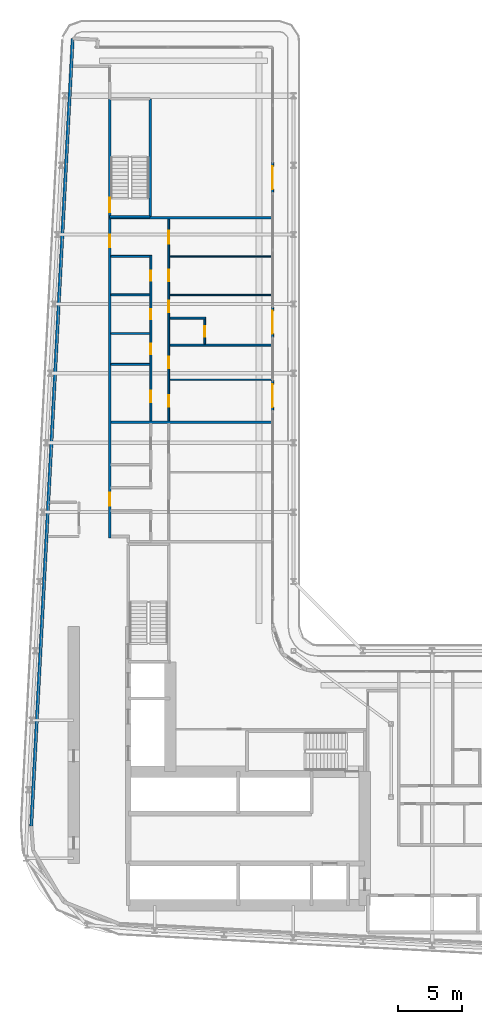
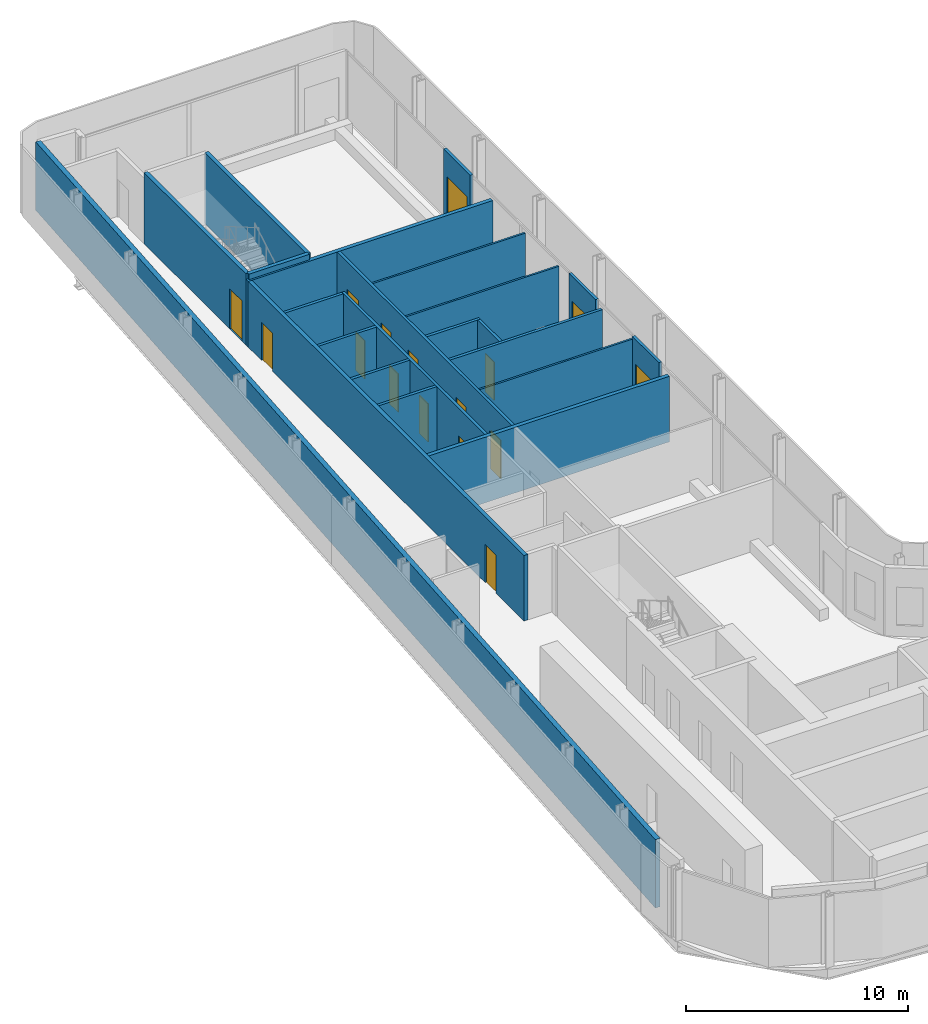
# One storey, part 16 of 25: 22 walls, 16 doors, 16 openings.
"""IFC4 building model written with IfcOpenShell, lengths in metres."""

from ifc_helpers import new_model, si_unit, direction, frame, frame_2d, origin, place, context, subcontext, project, spatial, rectangle, extrude, source, transform, mapped, material, layer, layer_set, type_object, element, fill, save


model = new_model("IFC4")

# Units and contexts
model_context = context("Model", 3, precision=1e-05, world=origin(), true_north=direction((0.0, 1.0)))
body_context = subcontext(model_context, "Body", "Model", "MODEL_VIEW")
ifc_project = project(units=[si_unit("LENGTHUNIT", "METRE"), si_unit("AREAUNIT", "SQUARE_METRE"), si_unit("VOLUMEUNIT", "CUBIC_METRE"), si_unit("PLANEANGLEUNIT", "RADIAN"), si_unit("MASSUNIT", "GRAM", prefix="KILO")], contexts=[model_context])

# Site, building, storey
site_placement = place(None, origin())
site = spatial("IfcSite", under=ifc_project, at=site_placement, CompositionType="ELEMENT")
building_placement = place(site_placement, origin())
building = spatial("IfcBuilding", under=site, at=building_placement, Name="Kheshtan School and Residences Tower", CompositionType="ELEMENT")
storey_placement = place(building_placement, frame((0.0, 0.0, 113.60009765625)))
storey = spatial("IfcBuildingStorey", under=building, at=storey_placement, Name="L26", CompositionType="ELEMENT", Elevation=113.60009765625)

# Wall, openings, doors
ifc_material_1 = material(Name="Gypsum board on steel studs with fire boards", Category="steel")
ifc_layer_1 = layer(ifc_material_1, 0.199951171875)
ifc_layer_set_1 = layer_set([ifc_layer_1], Name="Corridor wall 200")
wall_type_1 = type_object("IfcWallType", Name="Corridor wall 200", PredefinedType="PARTITIONING", material=ifc_layer_set_1)
wall_1_placement = place(storey_placement, frame((33.300048828125, 54.39990234375, 0.0), z_axis=(0.0, 0.0, 1.0), x_axis=(0.0, 1.0, 0.0)))
wall_1 = element("IfcWall", 1, at=wall_1_placement, inside=storey, type_object=wall_type_1, Name="Partition L26-003", PredefinedType="PARTITIONING", context=body_context, shape_type="SweptSolid", body=[
    extrude(rectangle(XDim=24.800048828125, YDim=0.199951171875, at=frame_2d((12.39990234375, 0.0))), origin(), (0.0, 0.0, 1.0), 3.599853515625),
])
opening_1_placement = place(wall_1_placement, frame((2.5, 0.0, 0.0)))
opening_1 = element("IfcOpeningElement", 2, at=opening_1_placement, cuts=wall_1, Name="Opening D25-035", PredefinedType="OPENING", context=body_context, shape_type="SweptSolid", body=[
    extrude(rectangle(XDim=1.0, YDim=2.10009765625, at=frame_2d((0.5, 1.050048828125))), frame((0.0, 0.10986328125, 0.0), z_axis=(0.0, -1.0, 0.0), x_axis=(1.0, 0.0, 0.0)), (0.0, 0.0, 1.0), 0.219970703125),
])
opening_2_placement = place(wall_1_placement, frame((22.60009765625, 0.0, 0.0)))
opening_2 = element("IfcOpeningElement", 3, at=opening_2_placement, cuts=wall_1, Name="Opening D25-044", PredefinedType="OPENING", context=body_context, shape_type="SweptSolid", body=[
    extrude(rectangle(XDim=1.0, YDim=2.10009765625, at=frame_2d((0.5, 1.050048828125))), frame((0.0, 0.10986328125, 0.0), z_axis=(0.0, -1.0, 0.0), x_axis=(1.0, 0.0, 0.0)), (0.0, 0.0, 1.0), 0.219970703125),
])
ifc_material_2 = material(Name="Steel-framed fire-resisting door leaf", Category="steel")
door_type_1 = type_object("IfcDoorType", Name="Fire door FD30S 1000 x 2100", OperationType="SINGLE_SWING_LEFT", PredefinedType="DOOR", material=ifc_material_2)
shared_shape_1 = source(origin(), body_context, "Body", "SweptSolid", [
    extrude(rectangle(XDim=1.0, YDim=2.10009765625, at=frame_2d((0.5, 1.050048828125))), frame((0.0, 0.02490234375, 0.0), z_axis=(0.0, -1.0, 0.0), x_axis=(1.0, 0.0, 0.0)), (0.0, 0.0, 1.0), 0.050048828125),
])
door_1_placement = place(opening_1_placement, origin())
door_1 = element("IfcDoor", 4, at=door_1_placement, inside=storey, type_object=door_type_1, Name="Door D25-035", OperationType="SINGLE_SWING_RIGHT", OverallHeight=2.10009765625, OverallWidth=1.0, PredefinedType="DOOR", context=body_context, shape_type="MappedRepresentation", body=[
    mapped(shared_shape_1, transform((0.0, 0.0, 0.0), x_axis=(1.0, 0.0, 0.0), y_axis=(0.0, 1.0, 0.0), z_axis=(0.0, 0.0, 1.0), scale=1.0)),
])
fill(opening_1, door_1)
door_2_placement = place(opening_2_placement, origin())
door_2 = element("IfcDoor", 5, at=door_2_placement, inside=storey, type_object=door_type_1, Name="Door D25-044", OperationType="SINGLE_SWING_RIGHT", OverallHeight=2.10009765625, OverallWidth=1.0, PredefinedType="DOOR", context=body_context, shape_type="MappedRepresentation", body=[
    mapped(shared_shape_1, transform((0.0, 0.0, 0.0), x_axis=(1.0, 0.0, 0.0), y_axis=(0.0, 1.0, 0.0), z_axis=(0.0, 0.0, 1.0), scale=1.0)),
])
fill(opening_2, door_2)

# Wall
ifc_material_3 = material(Name="Concrete C40/50 with ceramic cladding and mineral wool insulation", Category="concrete")
ifc_layer_2 = layer(ifc_material_3, 0.25)
ifc_layer_set_2 = layer_set([ifc_layer_2], Name="External wall 250 ceramic clad")
wall_type_2 = type_object("IfcWallType", Name="External wall 250 ceramic clad", PredefinedType="SOLIDWALL", material=ifc_layer_set_2)
wall_2_placement = place(storey_placement, frame((27.195068359375, 31.968994140625, 0.0), z_axis=(0.0, 0.0, 1.0), x_axis=(0.052555284099, 0.998618016117, 0.0)))
element("IfcWall", 6, at=wall_2_placement, inside=storey, type_object=wall_type_2, Name="External wall L26 16", PredefinedType="SOLIDWALL", context=body_context, shape_type="SweptSolid", body=[
    extrude(rectangle(XDim=61.379638671875, YDim=0.25, at=frame_2d((30.68994140625, 0.0))), origin(), (0.0, 0.0, 1.0), 3.75),
])

# Wall, opening, door
ifc_material_4 = material(Name="Aluminium frame wall with insulated infill", Category="aluminium")
ifc_layer_3 = layer(ifc_material_4, 0.14990234375)
ifc_layer_set_3 = layer_set([ifc_layer_3], Name="Glazing frame wall 150")
wall_type_3 = type_object("IfcWallType", Name="Glazing frame wall 150", PredefinedType="SOLIDWALL", material=ifc_layer_set_3)
wall_3_placement = place(storey_placement, frame((45.97509765625, 83.632080078125, 0.0), z_axis=(0.0, 0.0, 1.0), x_axis=(0.0, -1.0, 0.0)))
wall_3 = element("IfcWall", 7, at=wall_3_placement, inside=storey, type_object=wall_type_3, Name="Balcony door wall L26 4.1", PredefinedType="SOLIDWALL", context=body_context, shape_type="SweptSolid", body=[
    extrude(rectangle(XDim=2.399169921875, YDim=0.14990234375, at=frame_2d((1.19970703125, 0.0))), origin(), (0.0, 0.0, 1.0), 3.75),
])
opening_3_placement = place(wall_3_placement, frame((0.300048828125, 0.0, 0.0)))
opening_3 = element("IfcOpeningElement", 8, at=opening_3_placement, cuts=wall_3, Name="Opening BD", PredefinedType="OPENING", context=body_context, shape_type="SweptSolid", body=[
    extrude(rectangle(XDim=1.800048828125, YDim=2.39990234375, at=frame_2d((0.89990234375, 1.199951171875))), frame((0.0, 0.0849609375, 0.0), z_axis=(0.0, -1.0, 0.0), x_axis=(1.0, 0.0, 0.0)), (0.0, 0.0, 1.0), 0.169921875),
])
ifc_material_5 = material(Name="Clear low-e glass in thermally broken aluminium frame", Category="aluminium")
door_type_2 = type_object("IfcDoorType", Name="Balcony sliding door", OperationType="SLIDING_TO_LEFT", PredefinedType="DOOR", material=ifc_material_5)
shared_shape_2 = source(origin(), body_context, "Body", "SweptSolid", [
    extrude(rectangle(XDim=1.800048828125, YDim=2.39990234375, at=frame_2d((0.89990234375, 1.199951171875))), frame((0.0, 0.02490234375, 0.0), z_axis=(0.0, -1.0, 0.0), x_axis=(1.0, 0.0, 0.0)), (0.0, 0.0, 1.0), 0.050048828125),
])
door_3_placement = place(opening_3_placement, origin())
door_3 = element("IfcDoor", 9, at=door_3_placement, inside=storey, type_object=door_type_2, Name="Balcony door L26 4.1", OperationType="SLIDING_TO_LEFT", OverallHeight=2.39990234375, OverallWidth=1.800048828125, PredefinedType="DOOR", context=body_context, shape_type="MappedRepresentation", body=[
    mapped(shared_shape_2, transform((0.0, 0.0, 0.0), x_axis=(1.0, 0.0, 0.0), y_axis=(0.0, 1.0, 0.0), z_axis=(0.0, 0.0, 1.0), scale=1.0)),
])
fill(opening_3, door_3)

wall_4_placement = place(storey_placement, frame((45.97509765625, 72.364990234375, 0.0), z_axis=(0.0, 0.0, 1.0), x_axis=(0.0, -1.0, 0.0)))
wall_4 = element("IfcWall", 10, at=wall_4_placement, inside=storey, type_object=wall_type_3, Name="Balcony door wall L26 4.2", PredefinedType="SOLIDWALL", context=body_context, shape_type="SweptSolid", body=[
    extrude(rectangle(XDim=2.39990234375, YDim=0.14990234375, at=frame_2d((1.199951171875, 0.0))), origin(), (0.0, 0.0, 1.0), 3.75),
])
opening_4_placement = place(wall_4_placement, frame((0.300048828125, 0.0, 0.0)))
opening_4 = element("IfcOpeningElement", 11, at=opening_4_placement, cuts=wall_4, Name="Opening BD", PredefinedType="OPENING", context=body_context, shape_type="SweptSolid", body=[
    extrude(rectangle(XDim=1.800048828125, YDim=2.39990234375, at=frame_2d((0.89990234375, 1.199951171875))), frame((0.0, 0.0849609375, 0.0), z_axis=(0.0, -1.0, 0.0), x_axis=(1.0, 0.0, 0.0)), (0.0, 0.0, 1.0), 0.169921875),
])
door_4_placement = place(opening_4_placement, origin())
door_4 = element("IfcDoor", 12, at=door_4_placement, inside=storey, type_object=door_type_2, Name="Balcony door L26 4.2", OperationType="SLIDING_TO_LEFT", OverallHeight=2.39990234375, OverallWidth=1.800048828125, PredefinedType="DOOR", context=body_context, shape_type="MappedRepresentation", body=[
    mapped(shared_shape_2, transform((0.0, 0.0, 0.0), x_axis=(1.0, 0.0, 0.0), y_axis=(0.0, 1.0, 0.0), z_axis=(0.0, 0.0, 1.0), scale=1.0)),
])
fill(opening_4, door_4)

wall_5_placement = place(storey_placement, frame((45.97509765625, 66.6650390625, 0.0), z_axis=(0.0, 0.0, 1.0), x_axis=(0.0, -1.0, 0.0)))
wall_5 = element("IfcWall", 13, at=wall_5_placement, inside=storey, type_object=wall_type_3, Name="Balcony door wall L26 4.3", PredefinedType="SOLIDWALL", context=body_context, shape_type="SweptSolid", body=[
    extrude(rectangle(XDim=2.400146484375, YDim=0.14990234375, at=frame_2d((1.2001953125, 0.0))), origin(), (0.0, 0.0, 1.0), 3.75),
])
opening_5_placement = place(wall_5_placement, frame((0.300048828125, 0.0, 0.0)))
opening_5 = element("IfcOpeningElement", 14, at=opening_5_placement, cuts=wall_5, Name="Opening BD", PredefinedType="OPENING", context=body_context, shape_type="SweptSolid", body=[
    extrude(rectangle(XDim=1.800048828125, YDim=2.39990234375, at=frame_2d((0.89990234375, 1.199951171875))), frame((0.0, 0.0849609375, 0.0), z_axis=(0.0, -1.0, 0.0), x_axis=(1.0, 0.0, 0.0)), (0.0, 0.0, 1.0), 0.169921875),
])
door_5_placement = place(opening_5_placement, origin())
door_5 = element("IfcDoor", 15, at=door_5_placement, inside=storey, type_object=door_type_2, Name="Balcony door L26 4.3", OperationType="SLIDING_TO_LEFT", OverallHeight=2.39990234375, OverallWidth=1.800048828125, PredefinedType="DOOR", context=body_context, shape_type="MappedRepresentation", body=[
    mapped(shared_shape_2, transform((0.0, 0.0, 0.0), x_axis=(1.0, 0.0, 0.0), y_axis=(0.0, 1.0, 0.0), z_axis=(0.0, 0.0, 1.0), scale=1.0)),
])
fill(opening_5, door_5)

# Walls
ifc_material_6 = material(Name="Gypsum board on steel studs", Category="steel")
ifc_layer_4 = layer(ifc_material_6, 0.10009765625)
ifc_layer_set_4 = layer_set([ifc_layer_4], Name="Gypsum partition 100")
wall_type_4 = type_object("IfcWallType", Name="Gypsum partition 100", PredefinedType="PARTITIONING", material=ifc_layer_set_4)
for number, where, z_axis, x_axis, name in (
    (16, (37.97509765625, 66.699951171875, 0.0), (0.0, 0.0, 1.0), (1.0, 0.0, 0.0), "Partition L26-023"),
    (17, (37.97509765625, 73.300048828125, 0.0), (0.0, 0.0, 1.0), (1.0, 0.0, 0.0), "Partition L26-026"),
    (18, (37.97509765625, 76.300048828125, 0.0), (0.0, 0.0, 1.0), (1.0, 0.0, 0.0), "Partition L26-027"),
):
    element("IfcWall", number, at=place(storey_placement, frame(where, z_axis=z_axis, x_axis=x_axis)), inside=storey, type_object=wall_type_4, Name=name, PredefinedType="PARTITIONING", context=body_context, shape_type="SweptSolid", body=[
        extrude(rectangle(XDim=7.9248046875, YDim=0.10009765625, at=frame_2d((3.96240234375, 0.0))), origin(), (0.0, 0.0, 1.0), 3.599853515625),
    ])
ifc_material_7 = material(Name="Concrete C40/50", Category="concrete")
ifc_layer_5 = layer(ifc_material_7, 0.199951171875)
ifc_layer_set_5 = layer_set([ifc_layer_5], Name="Stair enclosure wall 200 Concrete C40/50")
wall_type_5 = type_object("IfcWallType", Name="Stair enclosure wall 200 Concrete C40/50", PredefinedType="SHEAR", material=ifc_layer_set_5)
wall_6_placement = place(storey_placement, frame((33.300048828125, 79.39990234375, 0.0), z_axis=(0.0, 0.0, 1.0), x_axis=(1.0, 0.0, 0.0)))
element("IfcWall", 19, at=wall_6_placement, inside=storey, type_object=wall_type_5, Name="Stair enclosure wall ST3", PredefinedType="SHEAR", context=body_context, shape_type="SweptSolid", body=[
    extrude(rectangle(XDim=3.14990234375, YDim=0.199951171875, at=frame_2d((1.574951171875, 0.0))), origin(), (0.0, 0.0, 1.0), 3.89990234375),
])

# Wall, opening, door
wall_7_placement = place(storey_placement, frame((33.300048828125, 79.39990234375, 0.0), z_axis=(0.0, 0.0, 1.0), x_axis=(0.0, 1.0, 0.0)))
wall_7 = element("IfcWall", 20, at=wall_7_placement, inside=storey, type_object=wall_type_5, Name="Stair enclosure wall ST3", PredefinedType="SHEAR", context=body_context, shape_type="SweptSolid", body=[
    extrude(rectangle(XDim=9.16015625, YDim=0.199951171875, at=frame_2d((4.580078125, 0.0))), origin(), (0.0, 0.0, 1.0), 3.89990234375),
])
opening_6_placement = place(wall_7_placement, frame((0.35009765625, 0.0, 0.0)))
opening_6 = element("IfcOpeningElement", 21, at=opening_6_placement, cuts=wall_7, Name="Opening ST3D", PredefinedType="OPENING", context=body_context, shape_type="SweptSolid", body=[
    extrude(rectangle(XDim=1.10009765625, YDim=2.199951171875, at=frame_2d((0.550048828125, 1.10009765625))), frame((0.0, 0.10986328125, 0.0), z_axis=(0.0, -1.0, 0.0), x_axis=(1.0, 0.0, 0.0)), (0.0, 0.0, 1.0), 0.219970703125),
])
ifc_material_8 = material(Name="Steel door leaf, galvanised", Category="steel")
door_type_3 = type_object("IfcDoorType", Name="Stair door 1100 steel 90 min", OperationType="SINGLE_SWING_LEFT", PredefinedType="DOOR", material=ifc_material_8)
shared_shape_3 = source(origin(), body_context, "Body", "SweptSolid", [
    extrude(rectangle(XDim=1.10009765625, YDim=2.199951171875, at=frame_2d((0.550048828125, 1.10009765625))), frame((0.0, 0.02490234375, 0.0), z_axis=(0.0, -1.0, 0.0), x_axis=(1.0, 0.0, 0.0)), (0.0, 0.0, 1.0), 0.050048828125),
])
door_6_placement = place(opening_6_placement, origin())
door_6 = element("IfcDoor", 22, at=door_6_placement, inside=storey, type_object=door_type_3, Name="Stair ST3 door", OperationType="SINGLE_SWING_RIGHT", OverallHeight=2.199951171875, OverallWidth=1.10009765625, PredefinedType="DOOR", context=body_context, shape_type="MappedRepresentation", body=[
    mapped(shared_shape_3, transform((0.0, 0.0, 0.0), x_axis=(1.0, 0.0, 0.0), y_axis=(0.0, 1.0, 0.0), z_axis=(0.0, 0.0, 1.0), scale=1.0)),
])
fill(opening_6, door_6)

# Walls
wall_8_placement = place(storey_placement, frame((36.449951171875, 79.39990234375, 0.0), z_axis=(0.0, 0.0, 1.0), x_axis=(0.0, 1.0, 0.0)))
element("IfcWall", 23, at=wall_8_placement, inside=storey, type_object=wall_type_5, Name="Stair enclosure wall ST3", PredefinedType="SHEAR", context=body_context, shape_type="SweptSolid", body=[
    extrude(rectangle(XDim=9.16015625, YDim=0.199951171875, at=frame_2d((4.580078125, 0.0))), origin(), (0.0, 0.0, 1.0), 3.89990234375),
])
ifc_material_9 = material(Name="Twin gypsum board on steel studs with mineral wool", Category="steel")
ifc_layer_6 = layer(ifc_material_9, 0.199951171875)
ifc_layer_set_6 = layer_set([ifc_layer_6], Name="Unit demising wall 200")
wall_type_6 = type_object("IfcWallType", Name="Unit demising wall 200", PredefinedType="PARTITIONING", material=ifc_layer_set_6)
wall_9_placement = place(storey_placement, frame((33.199951171875, 79.300048828125, 0.0), z_axis=(0.0, 0.0, 1.0), x_axis=(1.0, 0.0, 0.0)))
element("IfcWall", 24, at=wall_9_placement, inside=storey, type_object=wall_type_6, Name="Partition L26-002", PredefinedType="PARTITIONING", context=body_context, shape_type="SweptSolid", body=[
    extrude(rectangle(XDim=12.699951171875, YDim=0.199951171875, at=frame_2d((6.35009765625, 0.0))), origin(), (0.0, 0.0, 1.0), 3.599853515625),
])
wall_10_placement = place(storey_placement, frame((33.39990234375, 63.39990234375, 0.0), z_axis=(0.0, 0.0, 1.0), x_axis=(1.0, 0.0, 0.0)))
element("IfcWall", 25, at=wall_10_placement, inside=storey, type_object=wall_type_6, Name="Partition L26-009", PredefinedType="PARTITIONING", context=body_context, shape_type="SweptSolid", body=[
    extrude(rectangle(XDim=12.5, YDim=0.199951171875, at=frame_2d((6.25, 0.0))), origin(), (0.0, 0.0, 1.0), 3.599853515625),
])
ifc_material_10 = material(Name="Moisture-resistant gypsum board on steel studs", Category="steel")
ifc_layer_7 = layer(ifc_material_10, 0.14990234375)
ifc_layer_set_7 = layer_set([ifc_layer_7], Name="Wet-room partition 150")
wall_type_7 = type_object("IfcWallType", Name="Wet-room partition 150", PredefinedType="PARTITIONING", material=ifc_layer_set_7)
for number, where, z_axis, x_axis, name in (
    (26, (33.39990234375, 67.89990234375, 0.0), (0.0, 0.0, 1.0), (1.0, 0.0, 0.0), "Partition L26-010"),
    (27, (33.39990234375, 70.300048828125, 0.0), (0.0, 0.0, 1.0), (1.0, 0.0, 0.0), "Partition L26-011"),
    (28, (33.39990234375, 73.300048828125, 0.0), (0.0, 0.0, 1.0), (1.0, 0.0, 0.0), "Partition L26-012"),
    (29, (33.39990234375, 76.300048828125, 0.0), (0.0, 0.0, 1.0), (1.0, 0.0, 0.0), "Partition L26-013"),
):
    element("IfcWall", number, at=place(storey_placement, frame(where, z_axis=z_axis, x_axis=x_axis)), inside=storey, type_object=wall_type_7, Name=name, PredefinedType="PARTITIONING", context=body_context, shape_type="SweptSolid", body=[
        extrude(rectangle(XDim=3.025146484375, YDim=0.14990234375, at=frame_2d((1.5126953125, 0.0))), origin(), (0.0, 0.0, 1.0), 3.599853515625),
    ])

# Wall, openings, doors
wall_11_placement = place(storey_placement, frame((36.5, 63.5, 0.0), z_axis=(0.0, 0.0, 1.0), x_axis=(0.0, 1.0, 0.0)))
wall_11 = element("IfcWall", 30, at=wall_11_placement, inside=storey, type_object=wall_type_7, Name="Partition L26-019", PredefinedType="PARTITIONING", context=body_context, shape_type="SweptSolid", body=[
    extrude(rectangle(XDim=12.875, YDim=0.14990234375, at=frame_2d((6.4375, 0.0))), origin(), (0.0, 0.0, 1.0), 3.599853515625),
])
opening_7_placement = place(wall_11_placement, frame((7.89990234375, 0.0, 0.0)))
opening_7 = element("IfcOpeningElement", 31, at=opening_7_placement, cuts=wall_11, Name="Opening D25-039", PredefinedType="OPENING", context=body_context, shape_type="SweptSolid", body=[
    extrude(rectangle(XDim=0.800048828125, YDim=2.10009765625, at=frame_2d((0.39990234375, 1.050048828125))), frame((0.0, 0.0849609375, 0.0), z_axis=(0.0, -1.0, 0.0), x_axis=(1.0, 0.0, 0.0)), (0.0, 0.0, 1.0), 0.169921875),
])
opening_8_placement = place(wall_11_placement, frame((10.89990234375, 0.0, 0.0)))
opening_8 = element("IfcOpeningElement", 32, at=opening_8_placement, cuts=wall_11, Name="Opening D25-040", PredefinedType="OPENING", context=body_context, shape_type="SweptSolid", body=[
    extrude(rectangle(XDim=0.800048828125, YDim=2.10009765625, at=frame_2d((0.39990234375, 1.050048828125))), frame((0.0, 0.0849609375, 0.0), z_axis=(0.0, -1.0, 0.0), x_axis=(1.0, 0.0, 0.0)), (0.0, 0.0, 1.0), 0.169921875),
])
opening_9_placement = place(wall_11_placement, frame((1.449951171875, 0.0, 0.0)))
opening_9 = element("IfcOpeningElement", 33, at=opening_9_placement, cuts=wall_11, Name="Opening D25-045", PredefinedType="OPENING", context=body_context, shape_type="SweptSolid", body=[
    extrude(rectangle(XDim=0.89990234375, YDim=2.10009765625, at=frame_2d((0.449951171875, 1.050048828125))), frame((0.0, 0.0849609375, 0.0), z_axis=(0.0, -1.0, 0.0), x_axis=(1.0, 0.0, 0.0)), (0.0, 0.0, 1.0), 0.169921875),
])
opening_10_placement = place(wall_11_placement, frame((5.199951171875, 0.0, 0.0)))
opening_10 = element("IfcOpeningElement", 34, at=opening_10_placement, cuts=wall_11, Name="Opening D25-049", PredefinedType="OPENING", context=body_context, shape_type="SweptSolid", body=[
    extrude(rectangle(XDim=0.800048828125, YDim=2.10009765625, at=frame_2d((0.39990234375, 1.050048828125))), frame((0.0, 0.0849609375, 0.0), z_axis=(0.0, -1.0, 0.0), x_axis=(1.0, 0.0, 0.0)), (0.0, 0.0, 1.0), 0.169921875),
])
ifc_material_11 = material(Name="Veneered timber door leaf", Category="wood")
door_type_4 = type_object("IfcDoorType", Name="Door 800 x 2100", OperationType="SINGLE_SWING_LEFT", PredefinedType="DOOR", material=ifc_material_11)
shared_shape_4 = source(origin(), body_context, "Body", "SweptSolid", [
    extrude(rectangle(XDim=0.800048828125, YDim=2.10009765625, at=frame_2d((0.39990234375, 1.050048828125))), frame((0.0, 0.02490234375, 0.0), z_axis=(0.0, -1.0, 0.0), x_axis=(1.0, 0.0, 0.0)), (0.0, 0.0, 1.0), 0.050048828125),
])
door_7_placement = place(opening_7_placement, origin())
door_7 = element("IfcDoor", 35, at=door_7_placement, inside=storey, type_object=door_type_4, Name="Door D25-039", OperationType="SINGLE_SWING_LEFT", OverallHeight=2.10009765625, OverallWidth=0.800048828125, PredefinedType="DOOR", context=body_context, shape_type="MappedRepresentation", body=[
    mapped(shared_shape_4, transform((0.0, 0.0, 0.0), x_axis=(1.0, 0.0, 0.0), y_axis=(0.0, 1.0, 0.0), z_axis=(0.0, 0.0, 1.0), scale=1.0)),
])
fill(opening_7, door_7)
door_8_placement = place(opening_8_placement, origin())
door_8 = element("IfcDoor", 36, at=door_8_placement, inside=storey, type_object=door_type_4, Name="Door D25-040", OperationType="SINGLE_SWING_LEFT", OverallHeight=2.10009765625, OverallWidth=0.800048828125, PredefinedType="DOOR", context=body_context, shape_type="MappedRepresentation", body=[
    mapped(shared_shape_4, transform((0.0, 0.0, 0.0), x_axis=(1.0, 0.0, 0.0), y_axis=(0.0, 1.0, 0.0), z_axis=(0.0, 0.0, 1.0), scale=1.0)),
])
fill(opening_8, door_8)
door_9_placement = place(opening_10_placement, origin())
door_9 = element("IfcDoor", 37, at=door_9_placement, inside=storey, type_object=door_type_4, Name="Door D25-049", OperationType="SINGLE_SWING_RIGHT", OverallHeight=2.10009765625, OverallWidth=0.800048828125, PredefinedType="DOOR", context=body_context, shape_type="MappedRepresentation", body=[
    mapped(shared_shape_4, transform((0.0, 0.0, 0.0), x_axis=(1.0, 0.0, 0.0), y_axis=(0.0, 1.0, 0.0), z_axis=(0.0, 0.0, 1.0), scale=1.0)),
])
fill(opening_10, door_9)
door_type_5 = type_object("IfcDoorType", Name="Door 900 x 2100", OperationType="SINGLE_SWING_LEFT", PredefinedType="DOOR", material=ifc_material_11)
shared_shape_5 = source(origin(), body_context, "Body", "SweptSolid", [
    extrude(rectangle(XDim=0.89990234375, YDim=2.10009765625, at=frame_2d((0.449951171875, 1.050048828125))), frame((0.0, 0.02490234375, 0.0), z_axis=(0.0, -1.0, 0.0), x_axis=(1.0, 0.0, 0.0)), (0.0, 0.0, 1.0), 0.050048828125),
])
door_10_placement = place(opening_9_placement, origin())
door_10 = element("IfcDoor", 38, at=door_10_placement, inside=storey, type_object=door_type_5, Name="Door D25-045", OperationType="SINGLE_SWING_RIGHT", OverallHeight=2.10009765625, OverallWidth=0.89990234375, PredefinedType="DOOR", context=body_context, shape_type="MappedRepresentation", body=[
    mapped(shared_shape_5, transform((0.0, 0.0, 0.0), x_axis=(1.0, 0.0, 0.0), y_axis=(0.0, 1.0, 0.0), z_axis=(0.0, 0.0, 1.0), scale=1.0)),
])
fill(opening_9, door_10)

wall_12_placement = place(storey_placement, frame((37.89990234375, 63.5, 0.0), z_axis=(0.0, 0.0, 1.0), x_axis=(0.0, 1.0, 0.0)))
wall_12 = element("IfcWall", 39, at=wall_12_placement, inside=storey, type_object=wall_type_7, Name="Partition L26-021", PredefinedType="PARTITIONING", context=body_context, shape_type="SweptSolid", body=[
    extrude(rectangle(XDim=15.699951171875, YDim=0.14990234375, at=frame_2d((7.85009765625, 0.0))), origin(), (0.0, 0.0, 1.0), 3.599853515625),
])
opening_11_placement = place(wall_12_placement, frame((1.10009765625, 0.0, 0.0)))
opening_11 = element("IfcOpeningElement", 40, at=opening_11_placement, cuts=wall_12, Name="Opening D25-041", PredefinedType="OPENING", context=body_context, shape_type="SweptSolid", body=[
    extrude(rectangle(XDim=0.89990234375, YDim=2.10009765625, at=frame_2d((0.449951171875, 1.050048828125))), frame((0.0, 0.0849609375, 0.0), z_axis=(0.0, -1.0, 0.0), x_axis=(1.0, 0.0, 0.0)), (0.0, 0.0, 1.0), 0.169921875),
])
opening_12_placement = place(wall_12_placement, frame((10.85009765625, 0.0, 0.0)))
opening_12 = element("IfcOpeningElement", 41, at=opening_12_placement, cuts=wall_12, Name="Opening D25-042", PredefinedType="OPENING", context=body_context, shape_type="SweptSolid", body=[
    extrude(rectangle(XDim=0.89990234375, YDim=2.10009765625, at=frame_2d((0.449951171875, 1.050048828125))), frame((0.0, 0.0849609375, 0.0), z_axis=(0.0, -1.0, 0.0), x_axis=(1.0, 0.0, 0.0)), (0.0, 0.0, 1.0), 0.169921875),
])
opening_13_placement = place(wall_12_placement, frame((13.800048828125, 0.0, 0.0)))
opening_13 = element("IfcOpeningElement", 42, at=opening_13_placement, cuts=wall_12, Name="Opening D25-046", PredefinedType="OPENING", context=body_context, shape_type="SweptSolid", body=[
    extrude(rectangle(XDim=1.0, YDim=2.10009765625, at=frame_2d((0.5, 1.050048828125))), frame((0.0, 0.0849609375, 0.0), z_axis=(0.0, -1.0, 0.0), x_axis=(1.0, 0.0, 0.0)), (0.0, 0.0, 1.0), 0.169921875),
])
opening_14_placement = place(wall_12_placement, frame((4.10009765625, 0.0, 0.0)))
opening_14 = element("IfcOpeningElement", 43, at=opening_14_placement, cuts=wall_12, Name="Opening D25-047", PredefinedType="OPENING", context=body_context, shape_type="SweptSolid", body=[
    extrude(rectangle(XDim=0.89990234375, YDim=2.10009765625, at=frame_2d((0.449951171875, 1.050048828125))), frame((0.0, 0.0849609375, 0.0), z_axis=(0.0, -1.0, 0.0), x_axis=(1.0, 0.0, 0.0)), (0.0, 0.0, 1.0), 0.169921875),
])
opening_15_placement = place(wall_12_placement, frame((8.449951171875, 0.0, 0.0)))
opening_15 = element("IfcOpeningElement", 44, at=opening_15_placement, cuts=wall_12, Name="Opening D25-048", PredefinedType="OPENING", context=body_context, shape_type="SweptSolid", body=[
    extrude(rectangle(XDim=0.89990234375, YDim=2.10009765625, at=frame_2d((0.449951171875, 1.050048828125))), frame((0.0, 0.0849609375, 0.0), z_axis=(0.0, -1.0, 0.0), x_axis=(1.0, 0.0, 0.0)), (0.0, 0.0, 1.0), 0.169921875),
])
door_type_6 = type_object("IfcDoorType", Name="Door 1000 x 2100", OperationType="SINGLE_SWING_LEFT", PredefinedType="DOOR", material=ifc_material_11)
shared_shape_6 = source(origin(), body_context, "Body", "SweptSolid", [
    extrude(rectangle(XDim=1.0, YDim=2.10009765625, at=frame_2d((0.5, 1.050048828125))), frame((0.0, 0.02490234375, 0.0), z_axis=(0.0, -1.0, 0.0), x_axis=(1.0, 0.0, 0.0)), (0.0, 0.0, 1.0), 0.050048828125),
])
door_11_placement = place(opening_13_placement, origin())
door_11 = element("IfcDoor", 45, at=door_11_placement, inside=storey, type_object=door_type_6, Name="Door D25-046", OperationType="SINGLE_SWING_LEFT", OverallHeight=2.10009765625, OverallWidth=1.0, PredefinedType="DOOR", context=body_context, shape_type="MappedRepresentation", body=[
    mapped(shared_shape_6, transform((0.0, 0.0, 0.0), x_axis=(1.0, 0.0, 0.0), y_axis=(0.0, 1.0, 0.0), z_axis=(0.0, 0.0, 1.0), scale=1.0)),
])
fill(opening_13, door_11)
door_12_placement = place(opening_11_placement, origin())
door_12 = element("IfcDoor", 46, at=door_12_placement, inside=storey, type_object=door_type_5, Name="Door D25-041", OperationType="SINGLE_SWING_RIGHT", OverallHeight=2.10009765625, OverallWidth=0.89990234375, PredefinedType="DOOR", context=body_context, shape_type="MappedRepresentation", body=[
    mapped(shared_shape_5, transform((0.0, 0.0, 0.0), x_axis=(1.0, 0.0, 0.0), y_axis=(0.0, 1.0, 0.0), z_axis=(0.0, 0.0, 1.0), scale=1.0)),
])
fill(opening_11, door_12)
door_13_placement = place(opening_12_placement, origin())
door_13 = element("IfcDoor", 47, at=door_13_placement, inside=storey, type_object=door_type_5, Name="Door D25-042", OperationType="SINGLE_SWING_LEFT", OverallHeight=2.10009765625, OverallWidth=0.89990234375, PredefinedType="DOOR", context=body_context, shape_type="MappedRepresentation", body=[
    mapped(shared_shape_5, transform((0.0, 0.0, 0.0), x_axis=(1.0, 0.0, 0.0), y_axis=(0.0, 1.0, 0.0), z_axis=(0.0, 0.0, 1.0), scale=1.0)),
])
fill(opening_12, door_13)
door_14_placement = place(opening_14_placement, origin())
door_14 = element("IfcDoor", 48, at=door_14_placement, inside=storey, type_object=door_type_5, Name="Door D25-047", OperationType="SINGLE_SWING_RIGHT", OverallHeight=2.10009765625, OverallWidth=0.89990234375, PredefinedType="DOOR", context=body_context, shape_type="MappedRepresentation", body=[
    mapped(shared_shape_5, transform((0.0, 0.0, 0.0), x_axis=(1.0, 0.0, 0.0), y_axis=(0.0, 1.0, 0.0), z_axis=(0.0, 0.0, 1.0), scale=1.0)),
])
fill(opening_14, door_14)
door_15_placement = place(opening_15_placement, origin())
door_15 = element("IfcDoor", 49, at=door_15_placement, inside=storey, type_object=door_type_5, Name="Door D25-048", OperationType="SINGLE_SWING_LEFT", OverallHeight=2.10009765625, OverallWidth=0.89990234375, PredefinedType="DOOR", context=body_context, shape_type="MappedRepresentation", body=[
    mapped(shared_shape_5, transform((0.0, 0.0, 0.0), x_axis=(1.0, 0.0, 0.0), y_axis=(0.0, 1.0, 0.0), z_axis=(0.0, 0.0, 1.0), scale=1.0)),
])
fill(opening_15, door_15)

# Walls
wall_13_placement = place(storey_placement, frame((37.97509765625, 69.39990234375, 0.0), z_axis=(0.0, 0.0, 1.0), x_axis=(1.0, 0.0, 0.0)))
element("IfcWall", 50, at=wall_13_placement, inside=storey, type_object=wall_type_7, Name="Partition L26-024", PredefinedType="PARTITIONING", context=body_context, shape_type="SweptSolid", body=[
    extrude(rectangle(XDim=7.9248046875, YDim=0.14990234375, at=frame_2d((3.96240234375, 0.0))), origin(), (0.0, 0.0, 1.0), 3.599853515625),
])
wall_14_placement = place(storey_placement, frame((37.97509765625, 71.5, 0.0), z_axis=(0.0, 0.0, 1.0), x_axis=(1.0, 0.0, 0.0)))
element("IfcWall", 51, at=wall_14_placement, inside=storey, type_object=wall_type_7, Name="Partition L26-025", PredefinedType="PARTITIONING", context=body_context, shape_type="SweptSolid", body=[
    extrude(rectangle(XDim=2.7998046875, YDim=0.14990234375, at=frame_2d((1.39990234375, 0.0))), origin(), (0.0, 0.0, 1.0), 3.599853515625),
])

# Wall, opening, door
wall_15_placement = place(storey_placement, frame((40.699951171875, 69.47509765625, 0.0), z_axis=(0.0, 0.0, 1.0), x_axis=(0.0, 1.0, 0.0)))
wall_15 = element("IfcWall", 52, at=wall_15_placement, inside=storey, type_object=wall_type_7, Name="Partition L26-029", PredefinedType="PARTITIONING", context=body_context, shape_type="SweptSolid", body=[
    extrude(rectangle(XDim=1.949951171875, YDim=0.14990234375, at=frame_2d((0.97509765625, 0.0))), origin(), (0.0, 0.0, 1.0), 3.599853515625),
])
opening_16_placement = place(wall_15_placement, frame((0.574951171875, 0.0, 0.0)))
opening_16 = element("IfcOpeningElement", 53, at=opening_16_placement, cuts=wall_15, Name="Opening D25-043", PredefinedType="OPENING", context=body_context, shape_type="SweptSolid", body=[
    extrude(rectangle(XDim=0.800048828125, YDim=2.10009765625, at=frame_2d((0.39990234375, 1.050048828125))), frame((0.0, 0.0849609375, 0.0), z_axis=(0.0, -1.0, 0.0), x_axis=(1.0, 0.0, 0.0)), (0.0, 0.0, 1.0), 0.169921875),
])
door_16_placement = place(opening_16_placement, origin())
door_16 = element("IfcDoor", 54, at=door_16_placement, inside=storey, type_object=door_type_4, Name="Door D25-043", OperationType="SINGLE_SWING_RIGHT", OverallHeight=2.10009765625, OverallWidth=0.800048828125, PredefinedType="DOOR", context=body_context, shape_type="MappedRepresentation", body=[
    mapped(shared_shape_4, transform((0.0, 0.0, 0.0), x_axis=(1.0, 0.0, 0.0), y_axis=(0.0, 1.0, 0.0), z_axis=(0.0, 0.0, 1.0), scale=1.0)),
])
fill(opening_16, door_16)

save(model, "model.ifc")
